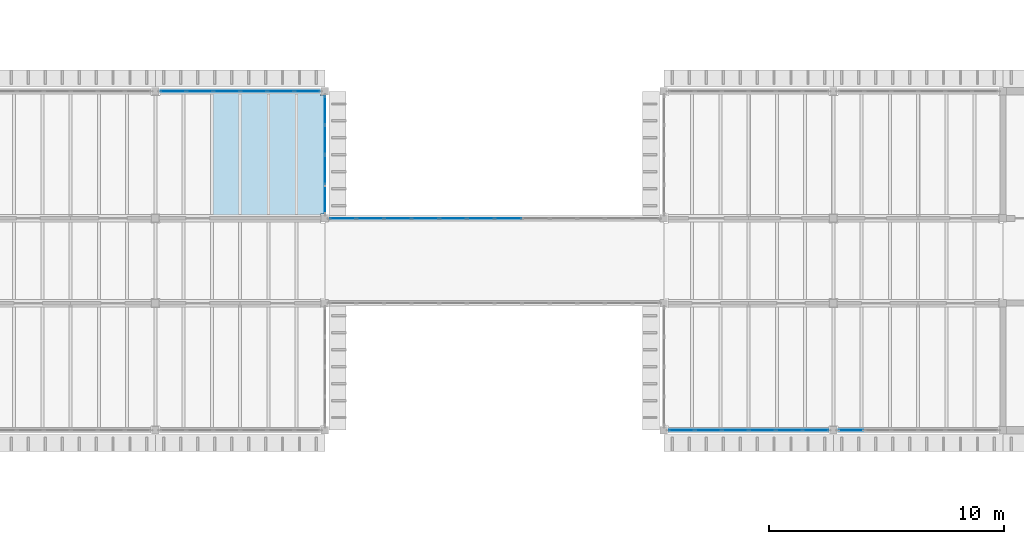
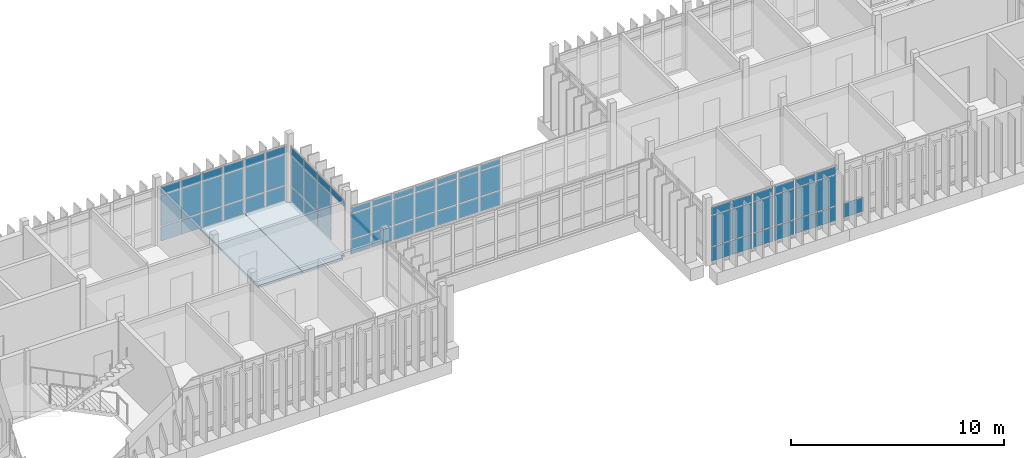
# One storey, part 33 of 71: 68 plates, 2 slabs, 5 elements without a shape of their own.
"""IFC4 building model written with IfcOpenShell, lengths in metres."""

import ifcopenshell
import ifcopenshell.guid

model = None  # the IFC model being written
_history = None  # IfcOwnerHistory: only IFC2X3 demands one
_inside = {}  # id of a spatial element -> (the spatial element, [elements in it])
_under = {}  # id of a project, library or spatial element -> (it, [spatial elements below it])
_declared = {}  # id of a project -> (the project, [libraries it declares])
_typed = {}  # id of a type object -> (the type object, [elements of that type])
_made_of = {}  # id of a material, layer set ... -> (it, [elements and type objects made of it])


def new_model(schema):
    """Start an empty IFC model of exactly this schema.

    Asked for "IFC4X3", IfcOpenShell would pick the latest addendum, in which some entities
    have other attributes; the version numbers below select the first issue.
    IFC2X3 requires an IfcOwnerHistory on every rooted entity: one is made here for all.
    """
    global model, _history
    if schema == "IFC4X3":
        model = ifcopenshell.file(schema_version=(4, 3, 0, 0))
    else:
        model = ifcopenshell.file(schema=schema)
    _inside.clear()
    _under.clear()
    _declared.clear()
    _typed.clear()
    _made_of.clear()
    _history = None
    if model.schema == "IFC2X3":
        org = make("IfcOrganization", Name="unknown")
        user = make(
            "IfcPersonAndOrganization",
            ThePerson=make("IfcPerson", FamilyName="unknown"),
            TheOrganization=org,
        )
        app = make(
            "IfcApplication",
            ApplicationDeveloper=org,
            Version="unknown",
            ApplicationFullName="unknown",
            ApplicationIdentifier="unknown",
        )
        _history = make(
            "IfcOwnerHistory",
            OwningUser=user,
            OwningApplication=app,
            ChangeAction="ADDED",
            CreationDate=0,
        )
    return model


def make(cls, **values):
    """One entity of the class cls with the attributes given. An attribute that is None is left unset."""
    return model.create_entity(
        cls, **{name: value for name, value in values.items() if value is not None}
    )


def rooted(cls, **values):
    """An entity with a GlobalId (a new one), such as an element, a storey or a relation."""
    return make(cls, GlobalId=ifcopenshell.guid.new(), OwnerHistory=_history, **values)


def si_unit(unit_type, name, prefix=None):
    """IfcSIUnit, for example si_unit("LENGTHUNIT", "METRE", prefix="MILLI")."""
    return make("IfcSIUnit", UnitType=unit_type, Prefix=prefix, Name=name)


def assignment(units):
    """IfcUnitAssignment: the units of a project."""
    return None if units is None else make("IfcUnitAssignment", Units=units)


def point(xyz):
    """IfcCartesianPoint."""
    return None if xyz is None else make("IfcCartesianPoint", Coordinates=xyz)


def direction(xyz):
    """IfcDirection."""
    return None if xyz is None else make("IfcDirection", DirectionRatios=xyz)


def frame(location, z_axis=None, x_axis=None):
    """IfcAxis2Placement3D, a coordinate frame: its origin and axes. An axis left out is left unset."""
    return make(
        "IfcAxis2Placement3D",
        Location=point(location),
        Axis=direction(z_axis),
        RefDirection=direction(x_axis),
    )


def frame_2d(location, x_axis=None):
    """IfcAxis2Placement2D, a coordinate frame in the plane: its origin and x axis."""
    return make(
        "IfcAxis2Placement2D", Location=point(location), RefDirection=direction(x_axis)
    )


def origin():
    """The frame at (0, 0, 0) with its axes left unset."""
    return frame((0.0, 0.0, 0.0))


def origin_2d():
    """The frame at (0, 0) in the plane with its x axis left unset."""
    return frame_2d((0.0, 0.0))


def place(relative_to, where):
    """IfcLocalPlacement: puts the frame where relative to a parent placement (None: the world)."""
    return make(
        "IfcLocalPlacement", PlacementRelTo=relative_to, RelativePlacement=where
    )


def context(
    kind, dimensions, precision=None, world=None, true_north=None, identifier=None
):
    """IfcGeometricRepresentationContext, for example the 3D "Model" context."""
    return make(
        "IfcGeometricRepresentationContext",
        ContextIdentifier=identifier,
        ContextType=kind,
        CoordinateSpaceDimension=dimensions,
        Precision=precision,
        WorldCoordinateSystem=world,
        TrueNorth=true_north,
    )


def subcontext(parent, identifier, kind, view, scale=None):
    """IfcGeometricRepresentationSubContext, for example "Body" below "Model"."""
    return make(
        "IfcGeometricRepresentationSubContext",
        ContextIdentifier=identifier,
        ContextType=kind,
        ParentContext=parent,
        TargetScale=scale,
        TargetView=view,
    )


def project(units=None, contexts=None):
    """IfcProject with its units and contexts."""
    return rooted(
        "IfcProject",
        Name="project",
        RepresentationContexts=contexts,
        UnitsInContext=assignment(units),
    )


def spatial(cls, under=None, at=None, **own):
    """A site, building, storey or space (cls), placed at a placement, below another one or the project."""
    s = rooted(cls, ObjectPlacement=at, **own)
    if under is not None:
        _under.setdefault(under.id(), (under, []))[1].append(s)
    return s


def polyline(points):
    """IfcPolyline through the points."""
    return make("IfcPolyline", Points=[point(p) for p in points])


def profile(cls, at=None, kind="AREA", **sizes):
    """A parametric profile (cls). Its sizes go by their IFC names, for example OverallWidth=200.0."""
    return make(cls, ProfileType=kind, Position=at, **sizes)


def rectangle(**sizes):
    """IfcRectangleProfileDef."""
    return profile("IfcRectangleProfileDef", **sizes)


def outline(outer, holes=None, kind="AREA"):
    """IfcArbitraryClosedProfileDef: a profile drawn as a closed curve; with holes, ...WithVoids."""
    if holes is None:
        return make("IfcArbitraryClosedProfileDef", ProfileType=kind, OuterCurve=outer)
    return make(
        "IfcArbitraryProfileDefWithVoids",
        ProfileType=kind,
        OuterCurve=outer,
        InnerCurves=holes,
    )


def extrude(swept, where, along, depth):
    """IfcExtrudedAreaSolid: the profile swept, set in the frame where, extruded along a direction by depth."""
    return make(
        "IfcExtrudedAreaSolid",
        SweptArea=swept,
        Position=where,
        ExtrudedDirection=direction(along),
        Depth=depth,
    )


def shape(context_of_items, identifier, shape_type, items):
    """IfcShapeRepresentation: the items that make up one representation, for example the "Body"."""
    return make(
        "IfcShapeRepresentation",
        ContextOfItems=context_of_items,
        RepresentationIdentifier=identifier,
        RepresentationType=shape_type,
        Items=items,
    )


def material(Name=None, Category=None):
    """IfcMaterial."""
    return make("IfcMaterial", Name=Name, Category=Category)


def layer(
    of_material, thickness, ventilated=None, Name=None, Category=None, Priority=None
):
    """IfcMaterialLayer: one layer of a wall or slab, of a material (None: an air gap)."""
    return make(
        "IfcMaterialLayer",
        Material=of_material,
        LayerThickness=thickness,
        IsVentilated=ventilated,
        Name=Name,
        Category=Category,
        Priority=Priority,
    )


def layer_set(layers, Name=None):
    """IfcMaterialLayerSet."""
    return make("IfcMaterialLayerSet", MaterialLayers=layers, LayerSetName=Name)


def made_of(thing, what):
    """Note that an element or type object is made of a material, layer set ...; save() writes the relation."""
    if what is not None:
        _made_of.setdefault(what.id(), (what, []))[1].append(thing)
    return thing


def type_object(cls, material=None, **own):
    """A type object (cls), such as IfcWallType, which elements share."""
    return made_of(rooted(cls, **own), material)


def element(
    cls,
    number,
    at=None,
    inside=None,
    cuts=None,
    type_object=None,
    material=None,
    context=None,
    identifier="Body",
    shape_type=None,
    held_by="IfcProductDefinitionShape",
    body=None,
    shapes=None,
    **own,
):
    """One element of the class cls, such as IfcWall. Its Tag is "e" and its number.

    at: its placement. inside: the storey or other place that contains it. cuts: it is an
    opening in that element (IfcRelVoidsElement). A single representation is given by context,
    identifier, shape_type and body (its items); several are given by shapes. held_by: the class
    of the entity that holds the representations. save() writes the other relations.
    """
    e = rooted(cls, Tag="e%d" % number, ObjectPlacement=at, **own)
    if body is not None:
        shapes = [shape(context, identifier, shape_type, body)]
    if shapes is not None:
        e.Representation = make(held_by, Representations=shapes)
    if inside is not None:
        _inside.setdefault(inside.id(), (inside, []))[1].append(e)
    if cuts is not None:
        rooted(
            "IfcRelVoidsElement", RelatingBuildingElement=cuts, RelatedOpeningElement=e
        )
    if type_object is not None:
        _typed.setdefault(type_object.id(), (type_object, []))[1].append(e)
    return made_of(e, material)


def aggregate(whole, parts):
    """IfcRelAggregates: a whole, such as a stair, and the parts it consists of."""
    return rooted("IfcRelAggregates", RelatingObject=whole, RelatedObjects=parts)


def save(model, path):
    """Write the relations noted so far, then the file.

    IfcRelAggregates (storeys below a building ...), IfcRelContainedInSpatialStructure (elements
    in a storey), IfcRelDefinesByType, IfcRelAssociatesMaterial and IfcRelDeclares: one each for
    every whole, place, type object, material and project.
    """
    for whole, parts in _under.values():
        aggregate(whole, parts)
    for where, things in _inside.values():
        rooted(
            "IfcRelContainedInSpatialStructure",
            RelatedElements=things,
            RelatingStructure=where,
        )
    for kind, things in _typed.values():
        rooted("IfcRelDefinesByType", RelatedObjects=things, RelatingType=kind)
    for what, things in _made_of.values():
        rooted("IfcRelAssociatesMaterial", RelatedObjects=things, RelatingMaterial=what)
    for by, libraries in _declared.values():
        rooted("IfcRelDeclares", RelatingContext=by, RelatedDefinitions=libraries)
    model.write(path)


model = new_model("IFC4")

# Units and contexts
model_context = context("Model", 3, precision=1e-05, world=origin(), true_north=direction((0.0, 1.0)))
body_context = subcontext(model_context, "Body", "Model", "MODEL_VIEW")
ifc_project = project(units=[si_unit("LENGTHUNIT", "METRE"), si_unit("AREAUNIT", "SQUARE_METRE"), si_unit("VOLUMEUNIT", "CUBIC_METRE"), si_unit("PLANEANGLEUNIT", "RADIAN"), si_unit("MASSUNIT", "GRAM", prefix="KILO")], contexts=[model_context])

# Site, building, storey
site_placement = place(None, origin())
site = spatial("IfcSite", under=ifc_project, at=site_placement, CompositionType="ELEMENT")
building_placement = place(site_placement, origin())
building = spatial("IfcBuilding", under=site, at=building_placement, Name="Mazhai Court Health Centre", CompositionType="ELEMENT")
storey_placement = place(building_placement, frame((0.0, 0.0, 10.199951171875)))
storey = spatial("IfcBuildingStorey", under=building, at=storey_placement, Name="L02", CompositionType="ELEMENT", Elevation=10.199951171875)

# Slabs
ifc_material_1 = material(Name="CLT C24 5-ply", Category="wood")
ifc_layer_1 = layer(ifc_material_1, 0.1201171875)
ifc_layer_set_1 = layer_set([ifc_layer_1], Name="CLT C24 5-ply 120 floor panel")
slab_type = type_object("IfcSlabType", Name="CLT C24 5-ply 120 floor panel", PredefinedType="FLOOR", material=ifc_layer_set_1)
slab_1_placement = place(storey_placement, frame((0.0, 0.0, -0.119873046875)))
element("IfcSlab", 1, at=slab_1_placement, inside=storey, type_object=slab_type, Name="slab-V4-L02-b2-B1", PredefinedType="FLOOR", context=body_context, shape_type="SweptSolid", body=[
    extrude(outline(polyline([(87.81005859375, 22.409912109375), (90.18994140625, 22.409912109375), (90.18994140625, 27.919921875), (87.81005859375, 27.919921875), (87.81005859375, 22.409912109375)])), origin(), (0.0, 0.0, 1.0), 0.119873046875),
])
slab_2_placement = place(storey_placement, frame((0.0, 0.0, -0.119873046875)))
element("IfcSlab", 2, at=slab_2_placement, inside=storey, type_object=slab_type, Name="slab-V4-L02-b2-B2", PredefinedType="FLOOR", context=body_context, shape_type="SweptSolid", body=[
    extrude(outline(polyline([(92.60009765625, 22.590087890625), (92.60009765625, 27.610107421875), (92.409912109375, 27.610107421875), (92.409912109375, 27.919921875), (90.2099609375, 27.919921875), (90.2099609375, 22.409912109375), (92.409912109375, 22.409912109375), (92.409912109375, 22.590087890625), (92.60009765625, 22.590087890625)])), origin(), (0.0, 0.0, 1.0), 0.119873046875),
])

# Curtain wall, plates
ifc_material_2 = material(Name="Teak timber frame, glazed", Category="wood")
ifc_layer_2 = layer(ifc_material_2, 0.10009765625)
ifc_layer_set_2 = layer_set([ifc_layer_2], Name="CURTAIN WALL TIMBER 1200")
curtain_wall_type = type_object("IfcCurtainWallType", Name="CURTAIN WALL TIMBER 1200", PredefinedType="NOTDEFINED", material=ifc_layer_set_2)
curtain_wall_1_placement = place(storey_placement, origin())
curtain_wall_1 = element("IfcCurtainWall", 3, at=curtain_wall_1_placement, inside=storey, type_object=curtain_wall_type, Name="CW-V4-L02-A5", PredefinedType="NOTDEFINED")
ifc_material_3 = material(Name="Glass IGU 28 mm", Category="glass")
ifc_layer_3 = layer(ifc_material_3, 0.028076171875)
ifc_layer_set_3 = layer_set([ifc_layer_3], Name="CW PANEL IGU 28")
plate_type = type_object("IfcPlateType", Name="CW PANEL IGU 28", PredefinedType="CURTAIN_PANEL", material=ifc_layer_set_3)
plate_1_placement = place(storey_placement, frame((113.45166015625, 13.39990234375, 0.06005859375), z_axis=(0.0, 0.0, 1.0), x_axis=(-1.0, 0.0, 0.0)))
plate_1 = element("IfcPlate", 4, at=plate_1_placement, type_object=plate_type, Name="CW panel 1.1", PredefinedType="CURTAIN_PANEL", context=body_context, shape_type="SweptSolid", body=[
    extrude(rectangle(XDim=1.056640625, YDim=0.028076171875, at=origin_2d()), origin(), (0.0, 0.0, 1.0), 0.81005859375),
])
plate_2_placement = place(storey_placement, frame((113.45166015625, 13.39990234375, 0.93017578125), z_axis=(0.0, 0.0, 1.0), x_axis=(-1.0, 0.0, 0.0)))
plate_2 = element("IfcPlate", 5, at=plate_2_placement, type_object=plate_type, Name="CW panel 1.2", PredefinedType="CURTAIN_PANEL", context=body_context, shape_type="SweptSolid", body=[
    extrude(rectangle(XDim=1.056640625, YDim=0.028076171875, at=origin_2d()), origin(), (0.0, 0.0, 1.0), 1.739990234375),
])
plate_3_placement = place(storey_placement, frame((113.45166015625, 13.39990234375, 2.72998046875), z_axis=(0.0, 0.0, 1.0), x_axis=(-1.0, 0.0, 0.0)))
plate_3 = element("IfcPlate", 6, at=plate_3_placement, type_object=plate_type, Name="CW panel 1.3", PredefinedType="CURTAIN_PANEL", context=body_context, shape_type="SweptSolid", body=[
    extrude(rectangle(XDim=1.056640625, YDim=0.028076171875, at=origin_2d()), origin(), (0.0, 0.0, 1.0), 0.429931640625),
])
plate_4_placement = place(storey_placement, frame((112.320068359375, 13.39990234375, 0.06005859375), z_axis=(0.0, 0.0, 1.0), x_axis=(-1.0, 0.0, 0.0)))
plate_4 = element("IfcPlate", 7, at=plate_4_placement, type_object=plate_type, Name="CW panel 2.1", PredefinedType="CURTAIN_PANEL", context=body_context, shape_type="SweptSolid", body=[
    extrude(rectangle(XDim=1.086669921875, YDim=0.028076171875, at=origin_2d()), origin(), (0.0, 0.0, 1.0), 0.81005859375),
])
plate_5_placement = place(storey_placement, frame((112.320068359375, 13.39990234375, 0.93017578125), z_axis=(0.0, 0.0, 1.0), x_axis=(-1.0, 0.0, 0.0)))
plate_5 = element("IfcPlate", 8, at=plate_5_placement, type_object=plate_type, Name="CW panel 2.2", PredefinedType="CURTAIN_PANEL", context=body_context, shape_type="SweptSolid", body=[
    extrude(rectangle(XDim=1.086669921875, YDim=0.028076171875, at=origin_2d()), origin(), (0.0, 0.0, 1.0), 1.739990234375),
])
plate_6_placement = place(storey_placement, frame((112.320068359375, 13.39990234375, 2.72998046875), z_axis=(0.0, 0.0, 1.0), x_axis=(-1.0, 0.0, 0.0)))
plate_6 = element("IfcPlate", 9, at=plate_6_placement, type_object=plate_type, Name="CW panel 2.3", PredefinedType="CURTAIN_PANEL", context=body_context, shape_type="SweptSolid", body=[
    extrude(rectangle(XDim=1.086669921875, YDim=0.028076171875, at=origin_2d()), origin(), (0.0, 0.0, 1.0), 0.429931640625),
])
plate_7_placement = place(storey_placement, frame((111.17333984375, 13.39990234375, 0.06005859375), z_axis=(0.0, 0.0, 1.0), x_axis=(-1.0, 0.0, 0.0)))
plate_7 = element("IfcPlate", 10, at=plate_7_placement, type_object=plate_type, Name="CW panel 3.1", PredefinedType="CURTAIN_PANEL", context=body_context, shape_type="SweptSolid", body=[
    extrude(rectangle(XDim=1.086669921875, YDim=0.028076171875, at=origin_2d()), origin(), (0.0, 0.0, 1.0), 0.81005859375),
])
plate_8_placement = place(storey_placement, frame((111.17333984375, 13.39990234375, 0.93017578125), z_axis=(0.0, 0.0, 1.0), x_axis=(-1.0, 0.0, 0.0)))
plate_8 = element("IfcPlate", 11, at=plate_8_placement, type_object=plate_type, Name="CW panel 3.2", PredefinedType="CURTAIN_PANEL", context=body_context, shape_type="SweptSolid", body=[
    extrude(rectangle(XDim=1.086669921875, YDim=0.028076171875, at=origin_2d()), origin(), (0.0, 0.0, 1.0), 1.739990234375),
])
plate_9_placement = place(storey_placement, frame((111.17333984375, 13.39990234375, 2.72998046875), z_axis=(0.0, 0.0, 1.0), x_axis=(-1.0, 0.0, 0.0)))
plate_9 = element("IfcPlate", 12, at=plate_9_placement, type_object=plate_type, Name="CW panel 3.3", PredefinedType="CURTAIN_PANEL", context=body_context, shape_type="SweptSolid", body=[
    extrude(rectangle(XDim=1.086669921875, YDim=0.028076171875, at=origin_2d()), origin(), (0.0, 0.0, 1.0), 0.429931640625),
])
plate_10_placement = place(storey_placement, frame((110.026611328125, 13.39990234375, 0.06005859375), z_axis=(0.0, 0.0, 1.0), x_axis=(-1.0, 0.0, 0.0)))
plate_10 = element("IfcPlate", 13, at=plate_10_placement, type_object=plate_type, Name="CW panel 4.1", PredefinedType="CURTAIN_PANEL", context=body_context, shape_type="SweptSolid", body=[
    extrude(rectangle(XDim=1.086669921875, YDim=0.028076171875, at=origin_2d()), origin(), (0.0, 0.0, 1.0), 0.81005859375),
])
plate_11_placement = place(storey_placement, frame((110.026611328125, 13.39990234375, 0.93017578125), z_axis=(0.0, 0.0, 1.0), x_axis=(-1.0, 0.0, 0.0)))
plate_11 = element("IfcPlate", 14, at=plate_11_placement, type_object=plate_type, Name="CW panel 4.2", PredefinedType="CURTAIN_PANEL", context=body_context, shape_type="SweptSolid", body=[
    extrude(rectangle(XDim=1.086669921875, YDim=0.028076171875, at=origin_2d()), origin(), (0.0, 0.0, 1.0), 1.739990234375),
])
plate_12_placement = place(storey_placement, frame((110.026611328125, 13.39990234375, 2.72998046875), z_axis=(0.0, 0.0, 1.0), x_axis=(-1.0, 0.0, 0.0)))
plate_12 = element("IfcPlate", 15, at=plate_12_placement, type_object=plate_type, Name="CW panel 4.3", PredefinedType="CURTAIN_PANEL", context=body_context, shape_type="SweptSolid", body=[
    extrude(rectangle(XDim=1.086669921875, YDim=0.028076171875, at=origin_2d()), origin(), (0.0, 0.0, 1.0), 0.429931640625),
])
plate_13_placement = place(storey_placement, frame((108.8798828125, 13.39990234375, 0.06005859375), z_axis=(0.0, 0.0, 1.0), x_axis=(-1.0, 0.0, 0.0)))
plate_13 = element("IfcPlate", 16, at=plate_13_placement, type_object=plate_type, Name="CW panel 5.1", PredefinedType="CURTAIN_PANEL", context=body_context, shape_type="SweptSolid", body=[
    extrude(rectangle(XDim=1.086669921875, YDim=0.028076171875, at=origin_2d()), origin(), (0.0, 0.0, 1.0), 0.81005859375),
])
plate_14_placement = place(storey_placement, frame((108.8798828125, 13.39990234375, 0.93017578125), z_axis=(0.0, 0.0, 1.0), x_axis=(-1.0, 0.0, 0.0)))
plate_14 = element("IfcPlate", 17, at=plate_14_placement, type_object=plate_type, Name="CW panel 5.2", PredefinedType="CURTAIN_PANEL", context=body_context, shape_type="SweptSolid", body=[
    extrude(rectangle(XDim=1.086669921875, YDim=0.028076171875, at=origin_2d()), origin(), (0.0, 0.0, 1.0), 1.739990234375),
])
plate_15_placement = place(storey_placement, frame((108.8798828125, 13.39990234375, 2.72998046875), z_axis=(0.0, 0.0, 1.0), x_axis=(-1.0, 0.0, 0.0)))
plate_15 = element("IfcPlate", 18, at=plate_15_placement, type_object=plate_type, Name="CW panel 5.3", PredefinedType="CURTAIN_PANEL", context=body_context, shape_type="SweptSolid", body=[
    extrude(rectangle(XDim=1.086669921875, YDim=0.028076171875, at=origin_2d()), origin(), (0.0, 0.0, 1.0), 0.429931640625),
])
plate_16_placement = place(storey_placement, frame((107.748291015625, 13.39990234375, 0.06005859375), z_axis=(0.0, 0.0, 1.0), x_axis=(-1.0, 0.0, 0.0)))
plate_16 = element("IfcPlate", 19, at=plate_16_placement, type_object=plate_type, Name="CW panel 6.1", PredefinedType="CURTAIN_PANEL", context=body_context, shape_type="SweptSolid", body=[
    extrude(rectangle(XDim=1.056640625, YDim=0.028076171875, at=origin_2d()), origin(), (0.0, 0.0, 1.0), 0.81005859375),
])
plate_17_placement = place(storey_placement, frame((107.748291015625, 13.39990234375, 0.93017578125), z_axis=(0.0, 0.0, 1.0), x_axis=(-1.0, 0.0, 0.0)))
plate_17 = element("IfcPlate", 20, at=plate_17_placement, type_object=plate_type, Name="CW panel 6.2", PredefinedType="CURTAIN_PANEL", context=body_context, shape_type="SweptSolid", body=[
    extrude(rectangle(XDim=1.056640625, YDim=0.028076171875, at=origin_2d()), origin(), (0.0, 0.0, 1.0), 1.739990234375),
])
plate_18_placement = place(storey_placement, frame((107.748291015625, 13.39990234375, 2.72998046875), z_axis=(0.0, 0.0, 1.0), x_axis=(-1.0, 0.0, 0.0)))
plate_18 = element("IfcPlate", 21, at=plate_18_placement, type_object=plate_type, Name="CW panel 6.3", PredefinedType="CURTAIN_PANEL", context=body_context, shape_type="SweptSolid", body=[
    extrude(rectangle(XDim=1.056640625, YDim=0.028076171875, at=origin_2d()), origin(), (0.0, 0.0, 1.0), 0.429931640625),
])
aggregate(curtain_wall_1, [plate_1, plate_2, plate_3, plate_4, plate_5, plate_6, plate_7, plate_8, plate_9, plate_10, plate_11, plate_12, plate_13, plate_14, plate_15, plate_16, plate_17, plate_18])

# Curtain wall, plate
curtain_wall_2_placement = place(storey_placement, origin())
curtain_wall_2 = element("IfcCurtainWall", 22, at=curtain_wall_2_placement, inside=storey, type_object=curtain_wall_type, Name="CW-V4-L02-A6", PredefinedType="NOTDEFINED")
plate_19_placement = place(storey_placement, frame((114.9482421875, 13.39990234375, 0.06005859375), z_axis=(0.0, 0.0, 1.0), x_axis=(-1.0, 0.0, 0.0)))
plate_19 = element("IfcPlate", 23, at=plate_19_placement, type_object=plate_type, Name="CW panel 6.1", PredefinedType="CURTAIN_PANEL", context=body_context, shape_type="SweptSolid", body=[
    extrude(rectangle(XDim=1.056640625, YDim=0.028076171875, at=origin_2d()), origin(), (0.0, 0.0, 1.0), 0.81005859375),
])
aggregate(curtain_wall_2, [plate_19])

# Curtain wall, plates
curtain_wall_3_placement = place(storey_placement, origin())
curtain_wall_3 = element("IfcCurtainWall", 24, at=curtain_wall_3_placement, inside=storey, type_object=curtain_wall_type, Name="CW-V4-L02-B2", PredefinedType="NOTDEFINED")
plate_20_placement = place(storey_placement, frame((86.1484375, 27.800048828125, 0.06005859375), z_axis=(0.0, 0.0, 1.0), x_axis=(1.0, 0.0, 0.0)))
plate_20 = element("IfcPlate", 25, at=plate_20_placement, type_object=plate_type, Name="CW panel 1.1", PredefinedType="CURTAIN_PANEL", context=body_context, shape_type="SweptSolid", body=[
    extrude(rectangle(XDim=1.056640625, YDim=0.028076171875, at=origin_2d()), origin(), (0.0, 0.0, 1.0), 0.81005859375),
])
plate_21_placement = place(storey_placement, frame((86.1484375, 27.800048828125, 0.93017578125), z_axis=(0.0, 0.0, 1.0), x_axis=(1.0, 0.0, 0.0)))
plate_21 = element("IfcPlate", 26, at=plate_21_placement, type_object=plate_type, Name="CW panel 1.2", PredefinedType="CURTAIN_PANEL", context=body_context, shape_type="SweptSolid", body=[
    extrude(rectangle(XDim=1.056640625, YDim=0.028076171875, at=origin_2d()), origin(), (0.0, 0.0, 1.0), 1.739990234375),
])
plate_22_placement = place(storey_placement, frame((86.1484375, 27.800048828125, 2.72998046875), z_axis=(0.0, 0.0, 1.0), x_axis=(1.0, 0.0, 0.0)))
plate_22 = element("IfcPlate", 27, at=plate_22_placement, type_object=plate_type, Name="CW panel 1.3", PredefinedType="CURTAIN_PANEL", context=body_context, shape_type="SweptSolid", body=[
    extrude(rectangle(XDim=1.056640625, YDim=0.028076171875, at=origin_2d()), origin(), (0.0, 0.0, 1.0), 0.429931640625),
])
plate_23_placement = place(storey_placement, frame((87.280029296875, 27.800048828125, 0.06005859375), z_axis=(0.0, 0.0, 1.0), x_axis=(1.0, 0.0, 0.0)))
plate_23 = element("IfcPlate", 28, at=plate_23_placement, type_object=plate_type, Name="CW panel 2.1", PredefinedType="CURTAIN_PANEL", context=body_context, shape_type="SweptSolid", body=[
    extrude(rectangle(XDim=1.086669921875, YDim=0.028076171875, at=origin_2d()), origin(), (0.0, 0.0, 1.0), 0.81005859375),
])
plate_24_placement = place(storey_placement, frame((87.280029296875, 27.800048828125, 0.93017578125), z_axis=(0.0, 0.0, 1.0), x_axis=(1.0, 0.0, 0.0)))
plate_24 = element("IfcPlate", 29, at=plate_24_placement, type_object=plate_type, Name="CW panel 2.2", PredefinedType="CURTAIN_PANEL", context=body_context, shape_type="SweptSolid", body=[
    extrude(rectangle(XDim=1.086669921875, YDim=0.028076171875, at=origin_2d()), origin(), (0.0, 0.0, 1.0), 1.739990234375),
])
plate_25_placement = place(storey_placement, frame((87.280029296875, 27.800048828125, 2.72998046875), z_axis=(0.0, 0.0, 1.0), x_axis=(1.0, 0.0, 0.0)))
plate_25 = element("IfcPlate", 30, at=plate_25_placement, type_object=plate_type, Name="CW panel 2.3", PredefinedType="CURTAIN_PANEL", context=body_context, shape_type="SweptSolid", body=[
    extrude(rectangle(XDim=1.086669921875, YDim=0.028076171875, at=origin_2d()), origin(), (0.0, 0.0, 1.0), 0.429931640625),
])
plate_26_placement = place(storey_placement, frame((88.4267578125, 27.800048828125, 0.06005859375), z_axis=(0.0, 0.0, 1.0), x_axis=(1.0, 0.0, 0.0)))
plate_26 = element("IfcPlate", 31, at=plate_26_placement, type_object=plate_type, Name="CW panel 3.1", PredefinedType="CURTAIN_PANEL", context=body_context, shape_type="SweptSolid", body=[
    extrude(rectangle(XDim=1.086669921875, YDim=0.028076171875, at=origin_2d()), origin(), (0.0, 0.0, 1.0), 0.81005859375),
])
plate_27_placement = place(storey_placement, frame((88.4267578125, 27.800048828125, 0.93017578125), z_axis=(0.0, 0.0, 1.0), x_axis=(1.0, 0.0, 0.0)))
plate_27 = element("IfcPlate", 32, at=plate_27_placement, type_object=plate_type, Name="CW panel 3.2", PredefinedType="CURTAIN_PANEL", context=body_context, shape_type="SweptSolid", body=[
    extrude(rectangle(XDim=1.086669921875, YDim=0.028076171875, at=origin_2d()), origin(), (0.0, 0.0, 1.0), 1.739990234375),
])
plate_28_placement = place(storey_placement, frame((88.4267578125, 27.800048828125, 2.72998046875), z_axis=(0.0, 0.0, 1.0), x_axis=(1.0, 0.0, 0.0)))
plate_28 = element("IfcPlate", 33, at=plate_28_placement, type_object=plate_type, Name="CW panel 3.3", PredefinedType="CURTAIN_PANEL", context=body_context, shape_type="SweptSolid", body=[
    extrude(rectangle(XDim=1.086669921875, YDim=0.028076171875, at=origin_2d()), origin(), (0.0, 0.0, 1.0), 0.429931640625),
])
plate_29_placement = place(storey_placement, frame((89.5732421875, 27.800048828125, 0.06005859375), z_axis=(0.0, 0.0, 1.0), x_axis=(1.0, 0.0, 0.0)))
plate_29 = element("IfcPlate", 34, at=plate_29_placement, type_object=plate_type, Name="CW panel 4.1", PredefinedType="CURTAIN_PANEL", context=body_context, shape_type="SweptSolid", body=[
    extrude(rectangle(XDim=1.086669921875, YDim=0.028076171875, at=origin_2d()), origin(), (0.0, 0.0, 1.0), 0.81005859375),
])
plate_30_placement = place(storey_placement, frame((89.5732421875, 27.800048828125, 0.93017578125), z_axis=(0.0, 0.0, 1.0), x_axis=(1.0, 0.0, 0.0)))
plate_30 = element("IfcPlate", 35, at=plate_30_placement, type_object=plate_type, Name="CW panel 4.2", PredefinedType="CURTAIN_PANEL", context=body_context, shape_type="SweptSolid", body=[
    extrude(rectangle(XDim=1.086669921875, YDim=0.028076171875, at=origin_2d()), origin(), (0.0, 0.0, 1.0), 1.739990234375),
])
plate_31_placement = place(storey_placement, frame((89.5732421875, 27.800048828125, 2.72998046875), z_axis=(0.0, 0.0, 1.0), x_axis=(1.0, 0.0, 0.0)))
plate_31 = element("IfcPlate", 36, at=plate_31_placement, type_object=plate_type, Name="CW panel 4.3", PredefinedType="CURTAIN_PANEL", context=body_context, shape_type="SweptSolid", body=[
    extrude(rectangle(XDim=1.086669921875, YDim=0.028076171875, at=origin_2d()), origin(), (0.0, 0.0, 1.0), 0.429931640625),
])
plate_32_placement = place(storey_placement, frame((90.719970703125, 27.800048828125, 0.06005859375), z_axis=(0.0, 0.0, 1.0), x_axis=(1.0, 0.0, 0.0)))
plate_32 = element("IfcPlate", 37, at=plate_32_placement, type_object=plate_type, Name="CW panel 5.1", PredefinedType="CURTAIN_PANEL", context=body_context, shape_type="SweptSolid", body=[
    extrude(rectangle(XDim=1.086669921875, YDim=0.028076171875, at=origin_2d()), origin(), (0.0, 0.0, 1.0), 0.81005859375),
])
plate_33_placement = place(storey_placement, frame((90.719970703125, 27.800048828125, 0.93017578125), z_axis=(0.0, 0.0, 1.0), x_axis=(1.0, 0.0, 0.0)))
plate_33 = element("IfcPlate", 38, at=plate_33_placement, type_object=plate_type, Name="CW panel 5.2", PredefinedType="CURTAIN_PANEL", context=body_context, shape_type="SweptSolid", body=[
    extrude(rectangle(XDim=1.086669921875, YDim=0.028076171875, at=origin_2d()), origin(), (0.0, 0.0, 1.0), 1.739990234375),
])
plate_34_placement = place(storey_placement, frame((90.719970703125, 27.800048828125, 2.72998046875), z_axis=(0.0, 0.0, 1.0), x_axis=(1.0, 0.0, 0.0)))
plate_34 = element("IfcPlate", 39, at=plate_34_placement, type_object=plate_type, Name="CW panel 5.3", PredefinedType="CURTAIN_PANEL", context=body_context, shape_type="SweptSolid", body=[
    extrude(rectangle(XDim=1.086669921875, YDim=0.028076171875, at=origin_2d()), origin(), (0.0, 0.0, 1.0), 0.429931640625),
])
plate_35_placement = place(storey_placement, frame((91.8515625, 27.800048828125, 0.06005859375), z_axis=(0.0, 0.0, 1.0), x_axis=(1.0, 0.0, 0.0)))
plate_35 = element("IfcPlate", 40, at=plate_35_placement, type_object=plate_type, Name="CW panel 6.1", PredefinedType="CURTAIN_PANEL", context=body_context, shape_type="SweptSolid", body=[
    extrude(rectangle(XDim=1.056640625, YDim=0.028076171875, at=origin_2d()), origin(), (0.0, 0.0, 1.0), 0.81005859375),
])
plate_36_placement = place(storey_placement, frame((91.8515625, 27.800048828125, 0.93017578125), z_axis=(0.0, 0.0, 1.0), x_axis=(1.0, 0.0, 0.0)))
plate_36 = element("IfcPlate", 41, at=plate_36_placement, type_object=plate_type, Name="CW panel 6.2", PredefinedType="CURTAIN_PANEL", context=body_context, shape_type="SweptSolid", body=[
    extrude(rectangle(XDim=1.056640625, YDim=0.028076171875, at=origin_2d()), origin(), (0.0, 0.0, 1.0), 1.739990234375),
])
plate_37_placement = place(storey_placement, frame((91.8515625, 27.800048828125, 2.72998046875), z_axis=(0.0, 0.0, 1.0), x_axis=(1.0, 0.0, 0.0)))
plate_37 = element("IfcPlate", 42, at=plate_37_placement, type_object=plate_type, Name="CW panel 6.3", PredefinedType="CURTAIN_PANEL", context=body_context, shape_type="SweptSolid", body=[
    extrude(rectangle(XDim=1.056640625, YDim=0.028076171875, at=origin_2d()), origin(), (0.0, 0.0, 1.0), 0.429931640625),
])
aggregate(curtain_wall_3, [plate_20, plate_21, plate_22, plate_23, plate_24, plate_25, plate_26, plate_27, plate_28, plate_29, plate_30, plate_31, plate_32, plate_33, plate_34, plate_35, plate_36, plate_37])

curtain_wall_4_placement = place(storey_placement, origin())
curtain_wall_4 = element("IfcCurtainWall", 43, at=curtain_wall_4_placement, inside=storey, type_object=curtain_wall_type, Name="CW-V4-L02-CE2-1", PredefinedType="NOTDEFINED")
plate_38_placement = place(storey_placement, frame((92.60009765625, 26.989990234375, 0.06005859375), z_axis=(0.0, 0.0, 1.0), x_axis=(0.0, -1.0, 0.0)))
plate_38 = element("IfcPlate", 44, at=plate_38_placement, type_object=plate_type, Name="CW panel 1.1", PredefinedType="CURTAIN_PANEL", context=body_context, shape_type="SweptSolid", body=[
    extrude(rectangle(XDim=1.179931640625, YDim=0.028076171875, at=origin_2d()), origin(), (0.0, 0.0, 1.0), 0.81005859375),
])
plate_39_placement = place(storey_placement, frame((92.60009765625, 26.989990234375, 0.93017578125), z_axis=(0.0, 0.0, 1.0), x_axis=(0.0, -1.0, 0.0)))
plate_39 = element("IfcPlate", 45, at=plate_39_placement, type_object=plate_type, Name="CW panel 1.2", PredefinedType="CURTAIN_PANEL", context=body_context, shape_type="SweptSolid", body=[
    extrude(rectangle(XDim=1.179931640625, YDim=0.028076171875, at=origin_2d()), origin(), (0.0, 0.0, 1.0), 1.739990234375),
])
plate_40_placement = place(storey_placement, frame((92.60009765625, 26.989990234375, 2.72998046875), z_axis=(0.0, 0.0, 1.0), x_axis=(0.0, -1.0, 0.0)))
plate_40 = element("IfcPlate", 46, at=plate_40_placement, type_object=plate_type, Name="CW panel 1.3", PredefinedType="CURTAIN_PANEL", context=body_context, shape_type="SweptSolid", body=[
    extrude(rectangle(XDim=1.179931640625, YDim=0.028076171875, at=origin_2d()), origin(), (0.0, 0.0, 1.0), 0.409912109375),
])
plate_41_placement = place(storey_placement, frame((92.60009765625, 25.735107421875, 0.06005859375), z_axis=(0.0, 0.0, 1.0), x_axis=(0.0, -1.0, 0.0)))
plate_41 = element("IfcPlate", 47, at=plate_41_placement, type_object=plate_type, Name="CW panel 2.1", PredefinedType="CURTAIN_PANEL", context=body_context, shape_type="SweptSolid", body=[
    extrude(rectangle(XDim=1.2099609375, YDim=0.028076171875, at=origin_2d()), origin(), (0.0, 0.0, 1.0), 0.81005859375),
])
plate_42_placement = place(storey_placement, frame((92.60009765625, 25.735107421875, 0.93017578125), z_axis=(0.0, 0.0, 1.0), x_axis=(0.0, -1.0, 0.0)))
plate_42 = element("IfcPlate", 48, at=plate_42_placement, type_object=plate_type, Name="CW panel 2.2", PredefinedType="CURTAIN_PANEL", context=body_context, shape_type="SweptSolid", body=[
    extrude(rectangle(XDim=1.2099609375, YDim=0.028076171875, at=origin_2d()), origin(), (0.0, 0.0, 1.0), 1.739990234375),
])
plate_43_placement = place(storey_placement, frame((92.60009765625, 25.735107421875, 2.72998046875), z_axis=(0.0, 0.0, 1.0), x_axis=(0.0, -1.0, 0.0)))
plate_43 = element("IfcPlate", 49, at=plate_43_placement, type_object=plate_type, Name="CW panel 2.3", PredefinedType="CURTAIN_PANEL", context=body_context, shape_type="SweptSolid", body=[
    extrude(rectangle(XDim=1.2099609375, YDim=0.028076171875, at=origin_2d()), origin(), (0.0, 0.0, 1.0), 0.409912109375),
])
plate_44_placement = place(storey_placement, frame((92.60009765625, 24.465087890625, 0.06005859375), z_axis=(0.0, 0.0, 1.0), x_axis=(0.0, -1.0, 0.0)))
plate_44 = element("IfcPlate", 50, at=plate_44_placement, type_object=plate_type, Name="CW panel 3.1", PredefinedType="CURTAIN_PANEL", context=body_context, shape_type="SweptSolid", body=[
    extrude(rectangle(XDim=1.2099609375, YDim=0.028076171875, at=origin_2d()), origin(), (0.0, 0.0, 1.0), 0.81005859375),
])
plate_45_placement = place(storey_placement, frame((92.60009765625, 24.465087890625, 0.93017578125), z_axis=(0.0, 0.0, 1.0), x_axis=(0.0, -1.0, 0.0)))
plate_45 = element("IfcPlate", 51, at=plate_45_placement, type_object=plate_type, Name="CW panel 3.2", PredefinedType="CURTAIN_PANEL", context=body_context, shape_type="SweptSolid", body=[
    extrude(rectangle(XDim=1.2099609375, YDim=0.028076171875, at=origin_2d()), origin(), (0.0, 0.0, 1.0), 1.739990234375),
])
plate_46_placement = place(storey_placement, frame((92.60009765625, 24.465087890625, 2.72998046875), z_axis=(0.0, 0.0, 1.0), x_axis=(0.0, -1.0, 0.0)))
plate_46 = element("IfcPlate", 52, at=plate_46_placement, type_object=plate_type, Name="CW panel 3.3", PredefinedType="CURTAIN_PANEL", context=body_context, shape_type="SweptSolid", body=[
    extrude(rectangle(XDim=1.2099609375, YDim=0.028076171875, at=origin_2d()), origin(), (0.0, 0.0, 1.0), 0.409912109375),
])
plate_47_placement = place(storey_placement, frame((92.60009765625, 23.2099609375, 2.72998046875), z_axis=(0.0, 0.0, 1.0), x_axis=(0.0, -1.0, 0.0)))
plate_47 = element("IfcPlate", 53, at=plate_47_placement, type_object=plate_type, Name="CW panel 4.3", PredefinedType="CURTAIN_PANEL", context=body_context, shape_type="SweptSolid", body=[
    extrude(rectangle(XDim=1.179931640625, YDim=0.028076171875, at=origin_2d()), origin(), (0.0, 0.0, 1.0), 0.409912109375),
])
aggregate(curtain_wall_4, [plate_38, plate_39, plate_40, plate_41, plate_42, plate_43, plate_44, plate_45, plate_46, plate_47])

curtain_wall_5_placement = place(storey_placement, origin())
curtain_wall_5 = element("IfcCurtainWall", 54, at=curtain_wall_5_placement, inside=storey, type_object=curtain_wall_type, Name="CW-BR-LC2-N", PredefinedType="NOTDEFINED")
plate_48_placement = place(storey_placement, frame((93.361572265625, 22.39990234375, 0.06005859375), z_axis=(0.0, 0.0, 1.0), x_axis=(1.0, 0.0, 0.0)))
plate_48 = element("IfcPlate", 55, at=plate_48_placement, type_object=plate_type, Name="CW panel 1.1", PredefinedType="CURTAIN_PANEL", context=body_context, shape_type="SweptSolid", body=[
    extrude(rectangle(XDim=1.083251953125, YDim=0.028076171875, at=origin_2d()), origin(), (0.0, 0.0, 1.0), 0.81005859375),
])
plate_49_placement = place(storey_placement, frame((93.361572265625, 22.39990234375, 0.93017578125), z_axis=(0.0, 0.0, 1.0), x_axis=(1.0, 0.0, 0.0)))
plate_49 = element("IfcPlate", 56, at=plate_49_placement, type_object=plate_type, Name="CW panel 1.2", PredefinedType="CURTAIN_PANEL", context=body_context, shape_type="SweptSolid", body=[
    extrude(rectangle(XDim=1.083251953125, YDim=0.028076171875, at=origin_2d()), origin(), (0.0, 0.0, 1.0), 1.419921875),
])
plate_50_placement = place(storey_placement, frame((93.361572265625, 22.39990234375, 2.409912109375), z_axis=(0.0, 0.0, 1.0), x_axis=(1.0, 0.0, 0.0)))
plate_50 = element("IfcPlate", 57, at=plate_50_placement, type_object=plate_type, Name="CW panel 1.3", PredefinedType="CURTAIN_PANEL", context=body_context, shape_type="SweptSolid", body=[
    extrude(rectangle(XDim=1.083251953125, YDim=0.028076171875, at=origin_2d()), origin(), (0.0, 0.0, 1.0), 0.31005859375),
])
plate_51_placement = place(storey_placement, frame((94.52001953125, 22.39990234375, 0.06005859375), z_axis=(0.0, 0.0, 1.0), x_axis=(1.0, 0.0, 0.0)))
plate_51 = element("IfcPlate", 58, at=plate_51_placement, type_object=plate_type, Name="CW panel 2.1", PredefinedType="CURTAIN_PANEL", context=body_context, shape_type="SweptSolid", body=[
    extrude(rectangle(XDim=1.11328125, YDim=0.028076171875, at=origin_2d()), origin(), (0.0, 0.0, 1.0), 0.81005859375),
])
plate_52_placement = place(storey_placement, frame((94.52001953125, 22.39990234375, 0.93017578125), z_axis=(0.0, 0.0, 1.0), x_axis=(1.0, 0.0, 0.0)))
plate_52 = element("IfcPlate", 59, at=plate_52_placement, type_object=plate_type, Name="CW panel 2.2", PredefinedType="CURTAIN_PANEL", context=body_context, shape_type="SweptSolid", body=[
    extrude(rectangle(XDim=1.11328125, YDim=0.028076171875, at=origin_2d()), origin(), (0.0, 0.0, 1.0), 1.419921875),
])
plate_53_placement = place(storey_placement, frame((94.52001953125, 22.39990234375, 2.409912109375), z_axis=(0.0, 0.0, 1.0), x_axis=(1.0, 0.0, 0.0)))
plate_53 = element("IfcPlate", 60, at=plate_53_placement, type_object=plate_type, Name="CW panel 2.3", PredefinedType="CURTAIN_PANEL", context=body_context, shape_type="SweptSolid", body=[
    extrude(rectangle(XDim=1.11328125, YDim=0.028076171875, at=origin_2d()), origin(), (0.0, 0.0, 1.0), 0.31005859375),
])
plate_54_placement = place(storey_placement, frame((95.693359375, 22.39990234375, 0.06005859375), z_axis=(0.0, 0.0, 1.0), x_axis=(1.0, 0.0, 0.0)))
plate_54 = element("IfcPlate", 61, at=plate_54_placement, type_object=plate_type, Name="CW panel 3.1", PredefinedType="CURTAIN_PANEL", context=body_context, shape_type="SweptSolid", body=[
    extrude(rectangle(XDim=1.11328125, YDim=0.028076171875, at=origin_2d()), origin(), (0.0, 0.0, 1.0), 0.81005859375),
])
plate_55_placement = place(storey_placement, frame((95.693359375, 22.39990234375, 0.93017578125), z_axis=(0.0, 0.0, 1.0), x_axis=(1.0, 0.0, 0.0)))
plate_55 = element("IfcPlate", 62, at=plate_55_placement, type_object=plate_type, Name="CW panel 3.2", PredefinedType="CURTAIN_PANEL", context=body_context, shape_type="SweptSolid", body=[
    extrude(rectangle(XDim=1.11328125, YDim=0.028076171875, at=origin_2d()), origin(), (0.0, 0.0, 1.0), 1.419921875),
])
plate_56_placement = place(storey_placement, frame((95.693359375, 22.39990234375, 2.409912109375), z_axis=(0.0, 0.0, 1.0), x_axis=(1.0, 0.0, 0.0)))
plate_56 = element("IfcPlate", 63, at=plate_56_placement, type_object=plate_type, Name="CW panel 3.3", PredefinedType="CURTAIN_PANEL", context=body_context, shape_type="SweptSolid", body=[
    extrude(rectangle(XDim=1.11328125, YDim=0.028076171875, at=origin_2d()), origin(), (0.0, 0.0, 1.0), 0.31005859375),
])
plate_57_placement = place(storey_placement, frame((96.86669921875, 22.39990234375, 0.06005859375), z_axis=(0.0, 0.0, 1.0), x_axis=(1.0, 0.0, 0.0)))
plate_57 = element("IfcPlate", 64, at=plate_57_placement, type_object=plate_type, Name="CW panel 4.1", PredefinedType="CURTAIN_PANEL", context=body_context, shape_type="SweptSolid", body=[
    extrude(rectangle(XDim=1.11328125, YDim=0.028076171875, at=origin_2d()), origin(), (0.0, 0.0, 1.0), 0.81005859375),
])
plate_58_placement = place(storey_placement, frame((96.86669921875, 22.39990234375, 0.93017578125), z_axis=(0.0, 0.0, 1.0), x_axis=(1.0, 0.0, 0.0)))
plate_58 = element("IfcPlate", 65, at=plate_58_placement, type_object=plate_type, Name="CW panel 4.2", PredefinedType="CURTAIN_PANEL", context=body_context, shape_type="SweptSolid", body=[
    extrude(rectangle(XDim=1.11328125, YDim=0.028076171875, at=origin_2d()), origin(), (0.0, 0.0, 1.0), 1.419921875),
])
plate_59_placement = place(storey_placement, frame((96.86669921875, 22.39990234375, 2.409912109375), z_axis=(0.0, 0.0, 1.0), x_axis=(1.0, 0.0, 0.0)))
plate_59 = element("IfcPlate", 66, at=plate_59_placement, type_object=plate_type, Name="CW panel 4.3", PredefinedType="CURTAIN_PANEL", context=body_context, shape_type="SweptSolid", body=[
    extrude(rectangle(XDim=1.11328125, YDim=0.028076171875, at=origin_2d()), origin(), (0.0, 0.0, 1.0), 0.31005859375),
])
plate_60_placement = place(storey_placement, frame((98.0400390625, 22.39990234375, 0.06005859375), z_axis=(0.0, 0.0, 1.0), x_axis=(1.0, 0.0, 0.0)))
plate_60 = element("IfcPlate", 67, at=plate_60_placement, type_object=plate_type, Name="CW panel 5.1", PredefinedType="CURTAIN_PANEL", context=body_context, shape_type="SweptSolid", body=[
    extrude(rectangle(XDim=1.11328125, YDim=0.028076171875, at=origin_2d()), origin(), (0.0, 0.0, 1.0), 0.81005859375),
])
plate_61_placement = place(storey_placement, frame((98.0400390625, 22.39990234375, 0.93017578125), z_axis=(0.0, 0.0, 1.0), x_axis=(1.0, 0.0, 0.0)))
plate_61 = element("IfcPlate", 68, at=plate_61_placement, type_object=plate_type, Name="CW panel 5.2", PredefinedType="CURTAIN_PANEL", context=body_context, shape_type="SweptSolid", body=[
    extrude(rectangle(XDim=1.11328125, YDim=0.028076171875, at=origin_2d()), origin(), (0.0, 0.0, 1.0), 1.419921875),
])
plate_62_placement = place(storey_placement, frame((98.0400390625, 22.39990234375, 2.409912109375), z_axis=(0.0, 0.0, 1.0), x_axis=(1.0, 0.0, 0.0)))
plate_62 = element("IfcPlate", 69, at=plate_62_placement, type_object=plate_type, Name="CW panel 5.3", PredefinedType="CURTAIN_PANEL", context=body_context, shape_type="SweptSolid", body=[
    extrude(rectangle(XDim=1.11328125, YDim=0.028076171875, at=origin_2d()), origin(), (0.0, 0.0, 1.0), 0.31005859375),
])
plate_63_placement = place(storey_placement, frame((99.21337890625, 22.39990234375, 0.06005859375), z_axis=(0.0, 0.0, 1.0), x_axis=(1.0, 0.0, 0.0)))
plate_63 = element("IfcPlate", 70, at=plate_63_placement, type_object=plate_type, Name="CW panel 6.1", PredefinedType="CURTAIN_PANEL", context=body_context, shape_type="SweptSolid", body=[
    extrude(rectangle(XDim=1.11328125, YDim=0.028076171875, at=origin_2d()), origin(), (0.0, 0.0, 1.0), 0.81005859375),
])
plate_64_placement = place(storey_placement, frame((99.21337890625, 22.39990234375, 0.93017578125), z_axis=(0.0, 0.0, 1.0), x_axis=(1.0, 0.0, 0.0)))
plate_64 = element("IfcPlate", 71, at=plate_64_placement, type_object=plate_type, Name="CW panel 6.2", PredefinedType="CURTAIN_PANEL", context=body_context, shape_type="SweptSolid", body=[
    extrude(rectangle(XDim=1.11328125, YDim=0.028076171875, at=origin_2d()), origin(), (0.0, 0.0, 1.0), 1.419921875),
])
plate_65_placement = place(storey_placement, frame((99.21337890625, 22.39990234375, 2.409912109375), z_axis=(0.0, 0.0, 1.0), x_axis=(1.0, 0.0, 0.0)))
plate_65 = element("IfcPlate", 72, at=plate_65_placement, type_object=plate_type, Name="CW panel 6.3", PredefinedType="CURTAIN_PANEL", context=body_context, shape_type="SweptSolid", body=[
    extrude(rectangle(XDim=1.11328125, YDim=0.028076171875, at=origin_2d()), origin(), (0.0, 0.0, 1.0), 0.31005859375),
])
plate_66_placement = place(storey_placement, frame((100.38671875, 22.39990234375, 0.06005859375), z_axis=(0.0, 0.0, 1.0), x_axis=(1.0, 0.0, 0.0)))
plate_66 = element("IfcPlate", 73, at=plate_66_placement, type_object=plate_type, Name="CW panel 7.1", PredefinedType="CURTAIN_PANEL", context=body_context, shape_type="SweptSolid", body=[
    extrude(rectangle(XDim=1.11328125, YDim=0.028076171875, at=origin_2d()), origin(), (0.0, 0.0, 1.0), 0.81005859375),
])
plate_67_placement = place(storey_placement, frame((100.38671875, 22.39990234375, 0.93017578125), z_axis=(0.0, 0.0, 1.0), x_axis=(1.0, 0.0, 0.0)))
plate_67 = element("IfcPlate", 74, at=plate_67_placement, type_object=plate_type, Name="CW panel 7.2", PredefinedType="CURTAIN_PANEL", context=body_context, shape_type="SweptSolid", body=[
    extrude(rectangle(XDim=1.11328125, YDim=0.028076171875, at=origin_2d()), origin(), (0.0, 0.0, 1.0), 1.419921875),
])
plate_68_placement = place(storey_placement, frame((100.38671875, 22.39990234375, 2.409912109375), z_axis=(0.0, 0.0, 1.0), x_axis=(1.0, 0.0, 0.0)))
plate_68 = element("IfcPlate", 75, at=plate_68_placement, type_object=plate_type, Name="CW panel 7.3", PredefinedType="CURTAIN_PANEL", context=body_context, shape_type="SweptSolid", body=[
    extrude(rectangle(XDim=1.11328125, YDim=0.028076171875, at=origin_2d()), origin(), (0.0, 0.0, 1.0), 0.31005859375),
])
aggregate(curtain_wall_5, [plate_48, plate_49, plate_50, plate_51, plate_52, plate_53, plate_54, plate_55, plate_56, plate_57, plate_58, plate_59, plate_60, plate_61, plate_62, plate_63, plate_64, plate_65, plate_66, plate_67, plate_68])

save(model, "model.ifc")
